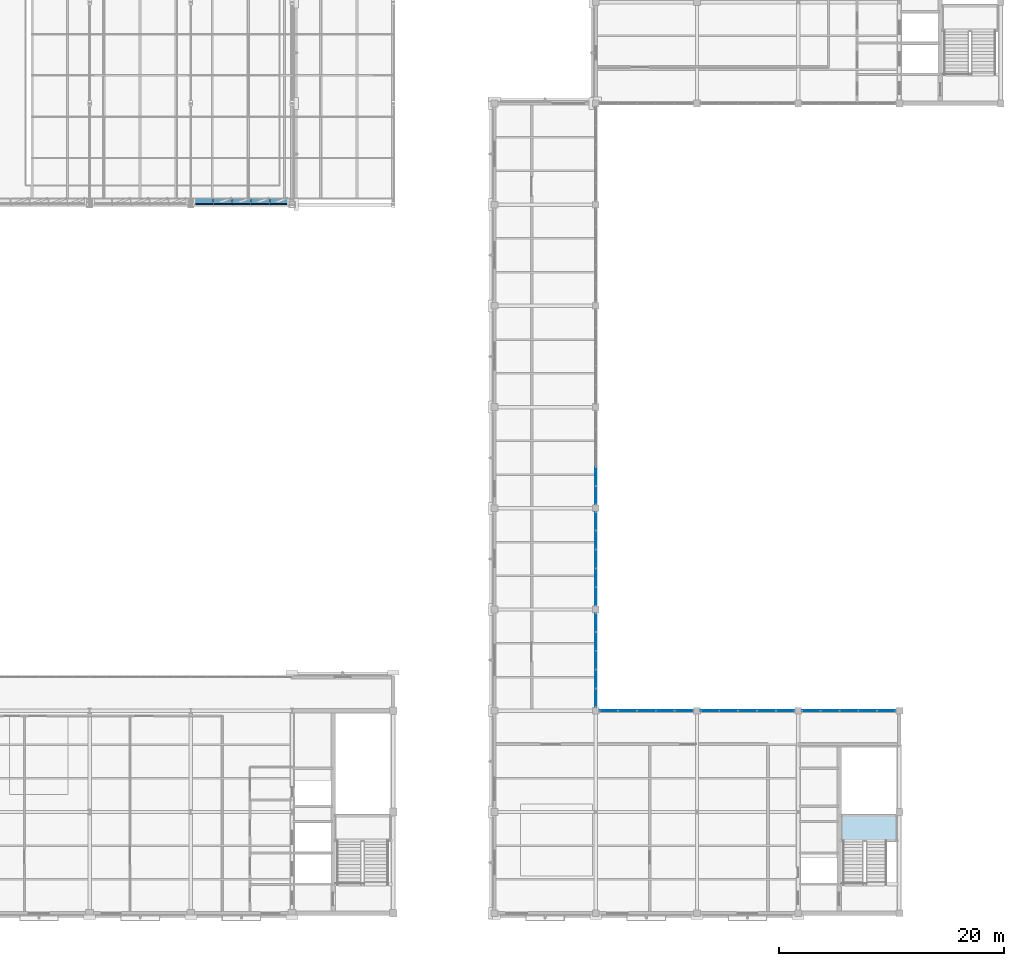
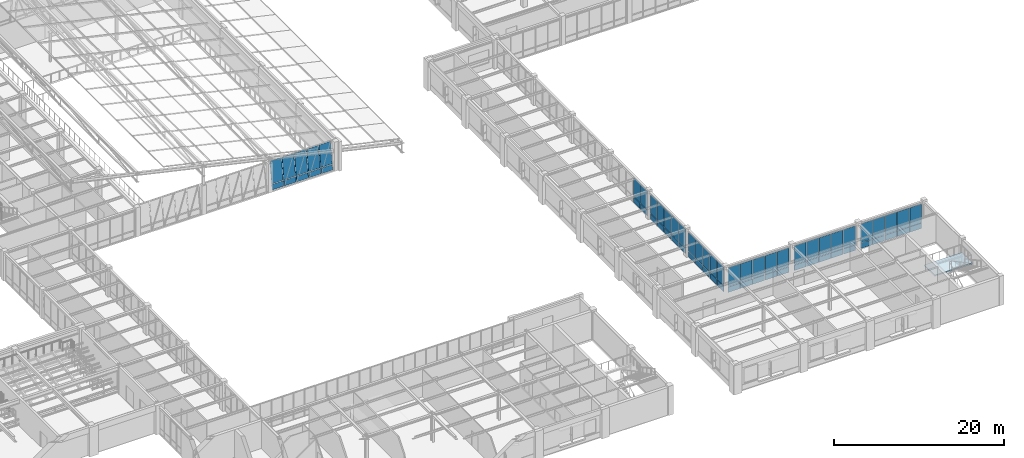
# One storey, part 104 of 130: 64 plates, 1 slab, 8 elements without a shape of their own.
"""IFC4 building model written with IfcOpenShell, lengths in metres."""

from ifc_helpers import new_model, si_unit, direction, frame, origin, origin_2d, place, context, subcontext, project, spatial, polyline, rectangle, outline, extrude, material, layer, layer_set, type_object, element, aggregate, save


model = new_model("IFC4")

# Units and contexts
model_context = context("Model", 3, precision=1e-05, world=origin(), true_north=direction((0.0, 1.0)))
body_context = subcontext(model_context, "Body", "Model", "MODEL_VIEW")
ifc_project = project(units=[si_unit("LENGTHUNIT", "METRE"), si_unit("AREAUNIT", "SQUARE_METRE"), si_unit("VOLUMEUNIT", "CUBIC_METRE"), si_unit("PLANEANGLEUNIT", "RADIAN"), si_unit("MASSUNIT", "GRAM", prefix="KILO")], contexts=[model_context])

# Site, building, storey
site_placement = place(None, origin())
site = spatial("IfcSite", under=ifc_project, at=site_placement, CompositionType="ELEMENT")
building_placement = place(site_placement, origin())
building = spatial("IfcBuilding", under=site, at=building_placement, Name="Lykobir Media Centre", CompositionType="ELEMENT")
storey_placement = place(building_placement, frame((0.0, 0.0, 19.199951171875)))
storey = spatial("IfcBuildingStorey", under=building, at=storey_placement, Name="L04", CompositionType="ELEMENT", Elevation=19.199951171875)

# Curtain wall, plates
ifc_material_1 = material(Name="Anodized Aluminium AW-6060", Category="aluminium")
curtain_wall_type_1 = type_object("IfcCurtainWallType", Name="CW-COURT-B", PredefinedType="NOTDEFINED", material=ifc_material_1)
curtain_wall_1_placement = place(storey_placement, origin())
curtain_wall_1 = element("IfcCurtainWall", 1, at=curtain_wall_1_placement, inside=storey, type_object=curtain_wall_type_1, Name="Curtain wall CW2-L04-0169", PredefinedType="NOTDEFINED")
ifc_material_2 = material(Name="Low-E Laminated Triple Glazing", Category="glass")
ifc_layer_1 = layer(ifc_material_2, 0.0380859375, Name="Low-E Laminated Triple Glazing")
ifc_layer_set_1 = layer_set([ifc_layer_1], Name="Low-E Laminated Triple Glazing")
plate_type_1 = type_object("IfcPlateType", Name="CWP-GLZ-38", PredefinedType="CURTAIN_PANEL", material=ifc_layer_set_1)
plate_1_placement = place(storey_placement, frame((100.15771484375, 18.0, 0.87744140625), z_axis=(0.0, 0.0, 1.0), x_axis=(1.0, 0.0, 0.0)))
plate_1 = element("IfcPlate", 2, at=plate_1_placement, type_object=plate_type_1, Name="CW2-L04-0169 panel 1.2", PredefinedType="CURTAIN_PANEL", context=body_context, shape_type="SweptSolid", body=[
    extrude(rectangle(XDim=1.595458984375, YDim=0.0380859375, at=origin_2d()), origin(), (0.0, 0.0, 1.0), 2.702392578125),
])
plate_2_placement = place(storey_placement, frame((101.822021484375, 18.0, 0.87744140625), z_axis=(0.0, 0.0, 1.0), x_axis=(1.0, 0.0, 0.0)))
plate_2 = element("IfcPlate", 3, at=plate_2_placement, type_object=plate_type_1, Name="CW2-L04-0169 panel 2.2", PredefinedType="CURTAIN_PANEL", context=body_context, shape_type="SweptSolid", body=[
    extrude(rectangle(XDim=1.623046875, YDim=0.0380859375, at=origin_2d()), origin(), (0.0, 0.0, 1.0), 2.702392578125),
])
plate_3_placement = place(storey_placement, frame((103.5, 18.0, 0.87744140625), z_axis=(0.0, 0.0, 1.0), x_axis=(1.0, 0.0, 0.0)))
plate_3 = element("IfcPlate", 4, at=plate_3_placement, type_object=plate_type_1, Name="CW2-L04-0169 panel 3.2", PredefinedType="CURTAIN_PANEL", context=body_context, shape_type="SweptSolid", body=[
    extrude(rectangle(XDim=1.623046875, YDim=0.0380859375, at=origin_2d()), origin(), (0.0, 0.0, 1.0), 2.702392578125),
])
plate_4_placement = place(storey_placement, frame((105.177978515625, 18.0, 0.87744140625), z_axis=(0.0, 0.0, 1.0), x_axis=(1.0, 0.0, 0.0)))
plate_4 = element("IfcPlate", 5, at=plate_4_placement, type_object=plate_type_1, Name="CW2-L04-0169 panel 4.2", PredefinedType="CURTAIN_PANEL", context=body_context, shape_type="SweptSolid", body=[
    extrude(rectangle(XDim=1.623046875, YDim=0.0380859375, at=origin_2d()), origin(), (0.0, 0.0, 1.0), 2.702392578125),
])
plate_5_placement = place(storey_placement, frame((106.84228515625, 18.0, 0.87744140625), z_axis=(0.0, 0.0, 1.0), x_axis=(1.0, 0.0, 0.0)))
plate_5 = element("IfcPlate", 6, at=plate_5_placement, type_object=plate_type_1, Name="CW2-L04-0169 panel 5.2", PredefinedType="CURTAIN_PANEL", context=body_context, shape_type="SweptSolid", body=[
    extrude(rectangle(XDim=1.595458984375, YDim=0.0380859375, at=origin_2d()), origin(), (0.0, 0.0, 1.0), 2.702392578125),
])

curtain_wall_2_placement = place(storey_placement, origin())
curtain_wall_2 = element("IfcCurtainWall", 7, at=curtain_wall_2_placement, inside=storey, type_object=curtain_wall_type_1, Name="Curtain wall CW2-L04-0170", PredefinedType="NOTDEFINED")
plate_6_placement = place(storey_placement, frame((109.15771484375, 18.0, 0.87744140625), z_axis=(0.0, 0.0, 1.0), x_axis=(1.0, 0.0, 0.0)))
plate_6 = element("IfcPlate", 8, at=plate_6_placement, type_object=plate_type_1, Name="CW2-L04-0170 panel 1.2", PredefinedType="CURTAIN_PANEL", context=body_context, shape_type="SweptSolid", body=[
    extrude(rectangle(XDim=1.595458984375, YDim=0.0380859375, at=origin_2d()), origin(), (0.0, 0.0, 1.0), 2.702392578125),
])
plate_7_placement = place(storey_placement, frame((110.822021484375, 18.0, 0.87744140625), z_axis=(0.0, 0.0, 1.0), x_axis=(1.0, 0.0, 0.0)))
plate_7 = element("IfcPlate", 9, at=plate_7_placement, type_object=plate_type_1, Name="CW2-L04-0170 panel 2.2", PredefinedType="CURTAIN_PANEL", context=body_context, shape_type="SweptSolid", body=[
    extrude(rectangle(XDim=1.623046875, YDim=0.0380859375, at=origin_2d()), origin(), (0.0, 0.0, 1.0), 2.702392578125),
])
plate_8_placement = place(storey_placement, frame((112.5, 18.0, 0.87744140625), z_axis=(0.0, 0.0, 1.0), x_axis=(1.0, 0.0, 0.0)))
plate_8 = element("IfcPlate", 10, at=plate_8_placement, type_object=plate_type_1, Name="CW2-L04-0170 panel 3.2", PredefinedType="CURTAIN_PANEL", context=body_context, shape_type="SweptSolid", body=[
    extrude(rectangle(XDim=1.623046875, YDim=0.0380859375, at=origin_2d()), origin(), (0.0, 0.0, 1.0), 2.702392578125),
])
plate_9_placement = place(storey_placement, frame((114.177978515625, 18.0, 0.87744140625), z_axis=(0.0, 0.0, 1.0), x_axis=(1.0, 0.0, 0.0)))
plate_9 = element("IfcPlate", 11, at=plate_9_placement, type_object=plate_type_1, Name="CW2-L04-0170 panel 4.2", PredefinedType="CURTAIN_PANEL", context=body_context, shape_type="SweptSolid", body=[
    extrude(rectangle(XDim=1.623046875, YDim=0.0380859375, at=origin_2d()), origin(), (0.0, 0.0, 1.0), 2.702392578125),
])
plate_10_placement = place(storey_placement, frame((115.84228515625, 18.0, 0.87744140625), z_axis=(0.0, 0.0, 1.0), x_axis=(1.0, 0.0, 0.0)))
plate_10 = element("IfcPlate", 12, at=plate_10_placement, type_object=plate_type_1, Name="CW2-L04-0170 panel 5.2", PredefinedType="CURTAIN_PANEL", context=body_context, shape_type="SweptSolid", body=[
    extrude(rectangle(XDim=1.595458984375, YDim=0.0380859375, at=origin_2d()), origin(), (0.0, 0.0, 1.0), 2.702392578125),
])

curtain_wall_3_placement = place(storey_placement, origin())
curtain_wall_3 = element("IfcCurtainWall", 13, at=curtain_wall_3_placement, inside=storey, type_object=curtain_wall_type_1, Name="Curtain wall CW2-L04-0171", PredefinedType="NOTDEFINED")
plate_11_placement = place(storey_placement, frame((118.15771484375, 18.0, 0.87744140625), z_axis=(0.0, 0.0, 1.0), x_axis=(1.0, 0.0, 0.0)))
plate_11 = element("IfcPlate", 14, at=plate_11_placement, type_object=plate_type_1, Name="CW2-L04-0171 panel 1.2", PredefinedType="CURTAIN_PANEL", context=body_context, shape_type="SweptSolid", body=[
    extrude(rectangle(XDim=1.595458984375, YDim=0.0380859375, at=origin_2d()), origin(), (0.0, 0.0, 1.0), 2.702392578125),
])
plate_12_placement = place(storey_placement, frame((119.822021484375, 18.0, 0.87744140625), z_axis=(0.0, 0.0, 1.0), x_axis=(1.0, 0.0, 0.0)))
plate_12 = element("IfcPlate", 15, at=plate_12_placement, type_object=plate_type_1, Name="CW2-L04-0171 panel 2.2", PredefinedType="CURTAIN_PANEL", context=body_context, shape_type="SweptSolid", body=[
    extrude(rectangle(XDim=1.623046875, YDim=0.0380859375, at=origin_2d()), origin(), (0.0, 0.0, 1.0), 2.702392578125),
])
plate_13_placement = place(storey_placement, frame((121.5, 18.0, 0.87744140625), z_axis=(0.0, 0.0, 1.0), x_axis=(1.0, 0.0, 0.0)))
plate_13 = element("IfcPlate", 16, at=plate_13_placement, type_object=plate_type_1, Name="CW2-L04-0171 panel 3.2", PredefinedType="CURTAIN_PANEL", context=body_context, shape_type="SweptSolid", body=[
    extrude(rectangle(XDim=1.623046875, YDim=0.0380859375, at=origin_2d()), origin(), (0.0, 0.0, 1.0), 2.702392578125),
])
plate_14_placement = place(storey_placement, frame((123.177978515625, 18.0, 0.87744140625), z_axis=(0.0, 0.0, 1.0), x_axis=(1.0, 0.0, 0.0)))
plate_14 = element("IfcPlate", 17, at=plate_14_placement, type_object=plate_type_1, Name="CW2-L04-0171 panel 4.2", PredefinedType="CURTAIN_PANEL", context=body_context, shape_type="SweptSolid", body=[
    extrude(rectangle(XDim=1.623046875, YDim=0.0380859375, at=origin_2d()), origin(), (0.0, 0.0, 1.0), 2.702392578125),
])
plate_15_placement = place(storey_placement, frame((124.84228515625, 18.0, 0.87744140625), z_axis=(0.0, 0.0, 1.0), x_axis=(1.0, 0.0, 0.0)))
plate_15 = element("IfcPlate", 18, at=plate_15_placement, type_object=plate_type_1, Name="CW2-L04-0171 panel 5.2", PredefinedType="CURTAIN_PANEL", context=body_context, shape_type="SweptSolid", body=[
    extrude(rectangle(XDim=1.595458984375, YDim=0.0380859375, at=origin_2d()), origin(), (0.0, 0.0, 1.0), 2.702392578125),
])

curtain_wall_4_placement = place(storey_placement, origin())
curtain_wall_4 = element("IfcCurtainWall", 19, at=curtain_wall_4_placement, inside=storey, type_object=curtain_wall_type_1, Name="Curtain wall CW2-L04-0172", PredefinedType="NOTDEFINED")
plate_16_placement = place(storey_placement, frame((99.0, 25.84228515625, 0.87744140625), z_axis=(0.0, 0.0, 1.0), x_axis=(0.0, -1.0, 0.0)))
plate_16 = element("IfcPlate", 20, at=plate_16_placement, type_object=plate_type_1, Name="CW2-L04-0172 panel 1.2", PredefinedType="CURTAIN_PANEL", context=body_context, shape_type="SweptSolid", body=[
    extrude(rectangle(XDim=1.595458984375, YDim=0.0380859375, at=origin_2d()), origin(), (0.0, 0.0, 1.0), 2.722412109375),
])
plate_17_placement = place(storey_placement, frame((99.0, 24.177978515625, 0.87744140625), z_axis=(0.0, 0.0, 1.0), x_axis=(0.0, -1.0, 0.0)))
plate_17 = element("IfcPlate", 21, at=plate_17_placement, type_object=plate_type_1, Name="CW2-L04-0172 panel 2.2", PredefinedType="CURTAIN_PANEL", context=body_context, shape_type="SweptSolid", body=[
    extrude(rectangle(XDim=1.623046875, YDim=0.0380859375, at=origin_2d()), origin(), (0.0, 0.0, 1.0), 2.722412109375),
])
plate_18_placement = place(storey_placement, frame((99.0, 22.5, 0.87744140625), z_axis=(0.0, 0.0, 1.0), x_axis=(0.0, -1.0, 0.0)))
plate_18 = element("IfcPlate", 22, at=plate_18_placement, type_object=plate_type_1, Name="CW2-L04-0172 panel 3.2", PredefinedType="CURTAIN_PANEL", context=body_context, shape_type="SweptSolid", body=[
    extrude(rectangle(XDim=1.623046875, YDim=0.0380859375, at=origin_2d()), origin(), (0.0, 0.0, 1.0), 2.722412109375),
])
plate_19_placement = place(storey_placement, frame((99.0, 20.822021484375, 0.87744140625), z_axis=(0.0, 0.0, 1.0), x_axis=(0.0, -1.0, 0.0)))
plate_19 = element("IfcPlate", 23, at=plate_19_placement, type_object=plate_type_1, Name="CW2-L04-0172 panel 4.2", PredefinedType="CURTAIN_PANEL", context=body_context, shape_type="SweptSolid", body=[
    extrude(rectangle(XDim=1.623046875, YDim=0.0380859375, at=origin_2d()), origin(), (0.0, 0.0, 1.0), 2.722412109375),
])
plate_20_placement = place(storey_placement, frame((99.0, 19.15771484375, 0.87744140625), z_axis=(0.0, 0.0, 1.0), x_axis=(0.0, -1.0, 0.0)))
plate_20 = element("IfcPlate", 24, at=plate_20_placement, type_object=plate_type_1, Name="CW2-L04-0172 panel 5.2", PredefinedType="CURTAIN_PANEL", context=body_context, shape_type="SweptSolid", body=[
    extrude(rectangle(XDim=1.595458984375, YDim=0.0380859375, at=origin_2d()), origin(), (0.0, 0.0, 1.0), 2.722412109375),
])

curtain_wall_5_placement = place(storey_placement, origin())
curtain_wall_5 = element("IfcCurtainWall", 25, at=curtain_wall_5_placement, inside=storey, type_object=curtain_wall_type_1, Name="Curtain wall CW2-L04-0173", PredefinedType="NOTDEFINED")
plate_21_placement = place(storey_placement, frame((99.0, 34.84228515625, 0.87744140625), z_axis=(0.0, 0.0, 1.0), x_axis=(0.0, -1.0, 0.0)))
plate_21 = element("IfcPlate", 26, at=plate_21_placement, type_object=plate_type_1, Name="CW2-L04-0173 panel 1.2", PredefinedType="CURTAIN_PANEL", context=body_context, shape_type="SweptSolid", body=[
    extrude(rectangle(XDim=1.595458984375, YDim=0.0380859375, at=origin_2d()), origin(), (0.0, 0.0, 1.0), 2.722412109375),
])
plate_22_placement = place(storey_placement, frame((99.0, 33.177978515625, 0.87744140625), z_axis=(0.0, 0.0, 1.0), x_axis=(0.0, -1.0, 0.0)))
plate_22 = element("IfcPlate", 27, at=plate_22_placement, type_object=plate_type_1, Name="CW2-L04-0173 panel 2.2", PredefinedType="CURTAIN_PANEL", context=body_context, shape_type="SweptSolid", body=[
    extrude(rectangle(XDim=1.623046875, YDim=0.0380859375, at=origin_2d()), origin(), (0.0, 0.0, 1.0), 2.722412109375),
])
plate_23_placement = place(storey_placement, frame((99.0, 31.5, 0.87744140625), z_axis=(0.0, 0.0, 1.0), x_axis=(0.0, -1.0, 0.0)))
plate_23 = element("IfcPlate", 28, at=plate_23_placement, type_object=plate_type_1, Name="CW2-L04-0173 panel 3.2", PredefinedType="CURTAIN_PANEL", context=body_context, shape_type="SweptSolid", body=[
    extrude(rectangle(XDim=1.623046875, YDim=0.0380859375, at=origin_2d()), origin(), (0.0, 0.0, 1.0), 2.722412109375),
])
plate_24_placement = place(storey_placement, frame((99.0, 29.822021484375, 0.87744140625), z_axis=(0.0, 0.0, 1.0), x_axis=(0.0, -1.0, 0.0)))
plate_24 = element("IfcPlate", 29, at=plate_24_placement, type_object=plate_type_1, Name="CW2-L04-0173 panel 4.2", PredefinedType="CURTAIN_PANEL", context=body_context, shape_type="SweptSolid", body=[
    extrude(rectangle(XDim=1.623046875, YDim=0.0380859375, at=origin_2d()), origin(), (0.0, 0.0, 1.0), 2.722412109375),
])
plate_25_placement = place(storey_placement, frame((99.0, 28.15771484375, 0.87744140625), z_axis=(0.0, 0.0, 1.0), x_axis=(0.0, -1.0, 0.0)))
plate_25 = element("IfcPlate", 30, at=plate_25_placement, type_object=plate_type_1, Name="CW2-L04-0173 panel 5.2", PredefinedType="CURTAIN_PANEL", context=body_context, shape_type="SweptSolid", body=[
    extrude(rectangle(XDim=1.595458984375, YDim=0.0380859375, at=origin_2d()), origin(), (0.0, 0.0, 1.0), 2.722412109375),
])

curtain_wall_6_placement = place(storey_placement, origin())
curtain_wall_6 = element("IfcCurtainWall", 31, at=curtain_wall_6_placement, inside=storey, type_object=curtain_wall_type_1, Name="Curtain wall CW2-L04-0174", PredefinedType="NOTDEFINED")
plate_26_placement = place(storey_placement, frame((99.0, 38.822021484375, 0.87744140625), z_axis=(0.0, 0.0, 1.0), x_axis=(0.0, -1.0, 0.0)))
plate_26 = element("IfcPlate", 32, at=plate_26_placement, type_object=plate_type_1, Name="CW2-L04-0174 panel 4.2", PredefinedType="CURTAIN_PANEL", context=body_context, shape_type="SweptSolid", body=[
    extrude(rectangle(XDim=1.623046875, YDim=0.0380859375, at=origin_2d()), origin(), (0.0, 0.0, 1.0), 2.722412109375),
])
plate_27_placement = place(storey_placement, frame((99.0, 37.15771484375, 0.87744140625), z_axis=(0.0, 0.0, 1.0), x_axis=(0.0, -1.0, 0.0)))
plate_27 = element("IfcPlate", 33, at=plate_27_placement, type_object=plate_type_1, Name="CW2-L04-0174 panel 5.2", PredefinedType="CURTAIN_PANEL", context=body_context, shape_type="SweptSolid", body=[
    extrude(rectangle(XDim=1.595458984375, YDim=0.0380859375, at=origin_2d()), origin(), (0.0, 0.0, 1.0), 2.722412109375),
])

curtain_wall_type_2 = type_object("IfcCurtainWallType", Name="CW-V6-CR4", PredefinedType="NOTDEFINED", material=ifc_material_1)
curtain_wall_7_placement = place(storey_placement, origin())
curtain_wall_7 = element("IfcCurtainWall", 34, at=curtain_wall_7_placement, inside=storey, type_object=curtain_wall_type_2, Name="Curtain wall CW2-L04-0162", PredefinedType="NOTDEFINED")
ifc_layer_2 = layer(ifc_material_2, 0.0439453125, Name="Low-E Laminated Triple Glazing")
ifc_layer_set_2 = layer_set([ifc_layer_2], Name="Low-E Laminated Triple Glazing")
plate_type_2 = type_object("IfcPlateType", Name="CWP-GLZ-44", PredefinedType="CURTAIN_PANEL", material=ifc_layer_set_2)
plate_28_placement = place(storey_placement, frame((70.837158203125, 63.126708984375, 0.87841796875), z_axis=(0.0, 0.142628933706, 0.989776230908), x_axis=(-1.0, 0.0, 0.0)))
plate_28 = element("IfcPlate", 35, at=plate_28_placement, type_object=plate_type_2, Name="CW2-L04-0162 panel 1.2", PredefinedType="CURTAIN_PANEL", context=body_context, shape_type="SweptSolid", body=[
    extrude(rectangle(XDim=1.5654296875, YDim=0.0439453125, at=origin_2d()), origin(), (0.0, 0.0, 1.0), 3.018310546875),
])
plate_29_placement = place(storey_placement, frame((69.177978515625, 63.126708984375, 0.87841796875), z_axis=(0.0, 0.142628933706, 0.989776230908), x_axis=(-1.0, 0.0, 0.0)))
plate_29 = element("IfcPlate", 36, at=plate_29_placement, type_object=plate_type_2, Name="CW2-L04-0162 panel 2.2", PredefinedType="CURTAIN_PANEL", context=body_context, shape_type="SweptSolid", body=[
    extrude(rectangle(XDim=1.60302734375, YDim=0.0439453125, at=origin_2d()), origin(), (0.0, 0.0, 1.0), 3.018310546875),
])
plate_30_placement = place(storey_placement, frame((67.5, 63.126708984375, 0.87841796875), z_axis=(0.0, 0.142628933706, 0.989776230908), x_axis=(-1.0, 0.0, 0.0)))
plate_30 = element("IfcPlate", 37, at=plate_30_placement, type_object=plate_type_2, Name="CW2-L04-0162 panel 3.2", PredefinedType="CURTAIN_PANEL", context=body_context, shape_type="SweptSolid", body=[
    extrude(rectangle(XDim=1.60302734375, YDim=0.0439453125, at=origin_2d()), origin(), (0.0, 0.0, 1.0), 3.018310546875),
])
plate_31_placement = place(storey_placement, frame((65.822021484375, 63.126708984375, 0.87841796875), z_axis=(0.0, 0.142628933706, 0.989776230908), x_axis=(-1.0, 0.0, 0.0)))
plate_31 = element("IfcPlate", 38, at=plate_31_placement, type_object=plate_type_2, Name="CW2-L04-0162 panel 4.2", PredefinedType="CURTAIN_PANEL", context=body_context, shape_type="SweptSolid", body=[
    extrude(rectangle(XDim=1.60302734375, YDim=0.0439453125, at=origin_2d()), origin(), (0.0, 0.0, 1.0), 3.018310546875),
])
plate_32_placement = place(storey_placement, frame((64.162841796875, 63.126708984375, 0.87841796875), z_axis=(0.0, 0.142628933706, 0.989776230908), x_axis=(-1.0, 0.0, 0.0)))
plate_32 = element("IfcPlate", 39, at=plate_32_placement, type_object=plate_type_2, Name="CW2-L04-0162 panel 5.2", PredefinedType="CURTAIN_PANEL", context=body_context, shape_type="SweptSolid", body=[
    extrude(rectangle(XDim=1.5654296875, YDim=0.0439453125, at=origin_2d()), origin(), (0.0, 0.0, 1.0), 3.018310546875),
])
ifc_material_3 = material(Name="Pre-Weathered Titanium-Zinc", Category="metal")
ifc_layer_3 = layer(ifc_material_3, 0.052001953125, Name="Pre-Weathered Titanium-Zinc")
ifc_layer_set_3 = layer_set([ifc_layer_3], Name="Pre-Weathered Titanium-Zinc")
plate_type_3 = type_object("IfcPlateType", Name="CWP-SPN-52", PredefinedType="CURTAIN_PANEL", material=ifc_layer_set_3)
plate_33_placement = place(storey_placement, frame((70.837158203125, 63.0107421875, 0.07421875), z_axis=(0.0, 0.142628933706, 0.989776230908), x_axis=(-1.0, 0.0, 0.0)))
plate_33 = element("IfcPlate", 40, at=plate_33_placement, type_object=plate_type_3, Name="CW2-L04-0162 panel 1.1", PredefinedType="CURTAIN_PANEL", context=body_context, shape_type="SweptSolid", body=[
    extrude(rectangle(XDim=1.5654296875, YDim=0.052001953125, at=origin_2d()), origin(), (0.0, 0.0, 1.0), 0.737548828125),
])
plate_34_placement = place(storey_placement, frame((69.177978515625, 63.0107421875, 0.07421875), z_axis=(0.0, 0.142628933706, 0.989776230908), x_axis=(-1.0, 0.0, 0.0)))
plate_34 = element("IfcPlate", 41, at=plate_34_placement, type_object=plate_type_3, Name="CW2-L04-0162 panel 2.1", PredefinedType="CURTAIN_PANEL", context=body_context, shape_type="SweptSolid", body=[
    extrude(rectangle(XDim=1.60302734375, YDim=0.052001953125, at=origin_2d()), origin(), (0.0, 0.0, 1.0), 0.737548828125),
])
plate_35_placement = place(storey_placement, frame((67.5, 63.0107421875, 0.07421875), z_axis=(0.0, 0.142628933706, 0.989776230908), x_axis=(-1.0, 0.0, 0.0)))
plate_35 = element("IfcPlate", 42, at=plate_35_placement, type_object=plate_type_3, Name="CW2-L04-0162 panel 3.1", PredefinedType="CURTAIN_PANEL", context=body_context, shape_type="SweptSolid", body=[
    extrude(rectangle(XDim=1.60302734375, YDim=0.052001953125, at=origin_2d()), origin(), (0.0, 0.0, 1.0), 0.737548828125),
])
plate_36_placement = place(storey_placement, frame((65.822021484375, 63.0107421875, 0.07421875), z_axis=(0.0, 0.142628933706, 0.989776230908), x_axis=(-1.0, 0.0, 0.0)))
plate_36 = element("IfcPlate", 43, at=plate_36_placement, type_object=plate_type_3, Name="CW2-L04-0162 panel 4.1", PredefinedType="CURTAIN_PANEL", context=body_context, shape_type="SweptSolid", body=[
    extrude(rectangle(XDim=1.60302734375, YDim=0.052001953125, at=origin_2d()), origin(), (0.0, 0.0, 1.0), 0.737548828125),
])
plate_37_placement = place(storey_placement, frame((64.162841796875, 63.0107421875, 0.07421875), z_axis=(0.0, 0.142628933706, 0.989776230908), x_axis=(-1.0, 0.0, 0.0)))
plate_37 = element("IfcPlate", 44, at=plate_37_placement, type_object=plate_type_3, Name="CW2-L04-0162 panel 5.1", PredefinedType="CURTAIN_PANEL", context=body_context, shape_type="SweptSolid", body=[
    extrude(rectangle(XDim=1.5654296875, YDim=0.052001953125, at=origin_2d()), origin(), (0.0, 0.0, 1.0), 0.737548828125),
])
aggregate(curtain_wall_7, [plate_33, plate_28, plate_34, plate_29, plate_35, plate_30, plate_36, plate_31, plate_37, plate_32])

# Plate
plate_38_placement = place(storey_placement, frame((100.15771484375, 18.0, 0.054931640625), z_axis=(0.0, 0.0, 1.0), x_axis=(1.0, 0.0, 0.0)))
plate_38 = element("IfcPlate", 45, at=plate_38_placement, type_object=plate_type_3, Name="CW2-L04-0169 panel 1.1", PredefinedType="CURTAIN_PANEL", context=body_context, shape_type="SweptSolid", body=[
    extrude(rectangle(XDim=1.595458984375, YDim=0.052001953125, at=origin_2d()), origin(), (0.0, 0.0, 1.0), 0.767578125),
])

plate_39_placement = place(storey_placement, frame((101.822021484375, 18.0, 0.054931640625), z_axis=(0.0, 0.0, 1.0), x_axis=(1.0, 0.0, 0.0)))
plate_39 = element("IfcPlate", 46, at=plate_39_placement, type_object=plate_type_3, Name="CW2-L04-0169 panel 2.1", PredefinedType="CURTAIN_PANEL", context=body_context, shape_type="SweptSolid", body=[
    extrude(rectangle(XDim=1.623046875, YDim=0.052001953125, at=origin_2d()), origin(), (0.0, 0.0, 1.0), 0.767578125),
])

plate_40_placement = place(storey_placement, frame((103.5, 18.0, 0.054931640625), z_axis=(0.0, 0.0, 1.0), x_axis=(1.0, 0.0, 0.0)))
plate_40 = element("IfcPlate", 47, at=plate_40_placement, type_object=plate_type_3, Name="CW2-L04-0169 panel 3.1", PredefinedType="CURTAIN_PANEL", context=body_context, shape_type="SweptSolid", body=[
    extrude(rectangle(XDim=1.623046875, YDim=0.052001953125, at=origin_2d()), origin(), (0.0, 0.0, 1.0), 0.767578125),
])

plate_41_placement = place(storey_placement, frame((105.177978515625, 18.0, 0.054931640625), z_axis=(0.0, 0.0, 1.0), x_axis=(1.0, 0.0, 0.0)))
plate_41 = element("IfcPlate", 48, at=plate_41_placement, type_object=plate_type_3, Name="CW2-L04-0169 panel 4.1", PredefinedType="CURTAIN_PANEL", context=body_context, shape_type="SweptSolid", body=[
    extrude(rectangle(XDim=1.623046875, YDim=0.052001953125, at=origin_2d()), origin(), (0.0, 0.0, 1.0), 0.767578125),
])

plate_42_placement = place(storey_placement, frame((106.84228515625, 18.0, 0.054931640625), z_axis=(0.0, 0.0, 1.0), x_axis=(1.0, 0.0, 0.0)))
plate_42 = element("IfcPlate", 49, at=plate_42_placement, type_object=plate_type_3, Name="CW2-L04-0169 panel 5.1", PredefinedType="CURTAIN_PANEL", context=body_context, shape_type="SweptSolid", body=[
    extrude(rectangle(XDim=1.595458984375, YDim=0.052001953125, at=origin_2d()), origin(), (0.0, 0.0, 1.0), 0.767578125),
])

aggregate(curtain_wall_1, [plate_38, plate_1, plate_39, plate_2, plate_40, plate_3, plate_41, plate_4, plate_42, plate_5])

plate_43_placement = place(storey_placement, frame((109.15771484375, 18.0, 0.054931640625), z_axis=(0.0, 0.0, 1.0), x_axis=(1.0, 0.0, 0.0)))
plate_43 = element("IfcPlate", 50, at=plate_43_placement, type_object=plate_type_3, Name="CW2-L04-0170 panel 1.1", PredefinedType="CURTAIN_PANEL", context=body_context, shape_type="SweptSolid", body=[
    extrude(rectangle(XDim=1.595458984375, YDim=0.052001953125, at=origin_2d()), origin(), (0.0, 0.0, 1.0), 0.767578125),
])

plate_44_placement = place(storey_placement, frame((110.822021484375, 18.0, 0.054931640625), z_axis=(0.0, 0.0, 1.0), x_axis=(1.0, 0.0, 0.0)))
plate_44 = element("IfcPlate", 51, at=plate_44_placement, type_object=plate_type_3, Name="CW2-L04-0170 panel 2.1", PredefinedType="CURTAIN_PANEL", context=body_context, shape_type="SweptSolid", body=[
    extrude(rectangle(XDim=1.623046875, YDim=0.052001953125, at=origin_2d()), origin(), (0.0, 0.0, 1.0), 0.767578125),
])

plate_45_placement = place(storey_placement, frame((112.5, 18.0, 0.054931640625), z_axis=(0.0, 0.0, 1.0), x_axis=(1.0, 0.0, 0.0)))
plate_45 = element("IfcPlate", 52, at=plate_45_placement, type_object=plate_type_3, Name="CW2-L04-0170 panel 3.1", PredefinedType="CURTAIN_PANEL", context=body_context, shape_type="SweptSolid", body=[
    extrude(rectangle(XDim=1.623046875, YDim=0.052001953125, at=origin_2d()), origin(), (0.0, 0.0, 1.0), 0.767578125),
])

plate_46_placement = place(storey_placement, frame((114.177978515625, 18.0, 0.054931640625), z_axis=(0.0, 0.0, 1.0), x_axis=(1.0, 0.0, 0.0)))
plate_46 = element("IfcPlate", 53, at=plate_46_placement, type_object=plate_type_3, Name="CW2-L04-0170 panel 4.1", PredefinedType="CURTAIN_PANEL", context=body_context, shape_type="SweptSolid", body=[
    extrude(rectangle(XDim=1.623046875, YDim=0.052001953125, at=origin_2d()), origin(), (0.0, 0.0, 1.0), 0.767578125),
])

plate_47_placement = place(storey_placement, frame((115.84228515625, 18.0, 0.054931640625), z_axis=(0.0, 0.0, 1.0), x_axis=(1.0, 0.0, 0.0)))
plate_47 = element("IfcPlate", 54, at=plate_47_placement, type_object=plate_type_3, Name="CW2-L04-0170 panel 5.1", PredefinedType="CURTAIN_PANEL", context=body_context, shape_type="SweptSolid", body=[
    extrude(rectangle(XDim=1.595458984375, YDim=0.052001953125, at=origin_2d()), origin(), (0.0, 0.0, 1.0), 0.767578125),
])

aggregate(curtain_wall_2, [plate_43, plate_6, plate_44, plate_7, plate_45, plate_8, plate_46, plate_9, plate_47, plate_10])

plate_48_placement = place(storey_placement, frame((118.15771484375, 18.0, 0.054931640625), z_axis=(0.0, 0.0, 1.0), x_axis=(1.0, 0.0, 0.0)))
plate_48 = element("IfcPlate", 55, at=plate_48_placement, type_object=plate_type_3, Name="CW2-L04-0171 panel 1.1", PredefinedType="CURTAIN_PANEL", context=body_context, shape_type="SweptSolid", body=[
    extrude(rectangle(XDim=1.595458984375, YDim=0.052001953125, at=origin_2d()), origin(), (0.0, 0.0, 1.0), 0.767578125),
])

plate_49_placement = place(storey_placement, frame((119.822021484375, 18.0, 0.054931640625), z_axis=(0.0, 0.0, 1.0), x_axis=(1.0, 0.0, 0.0)))
plate_49 = element("IfcPlate", 56, at=plate_49_placement, type_object=plate_type_3, Name="CW2-L04-0171 panel 2.1", PredefinedType="CURTAIN_PANEL", context=body_context, shape_type="SweptSolid", body=[
    extrude(rectangle(XDim=1.623046875, YDim=0.052001953125, at=origin_2d()), origin(), (0.0, 0.0, 1.0), 0.767578125),
])

plate_50_placement = place(storey_placement, frame((121.5, 18.0, 0.054931640625), z_axis=(0.0, 0.0, 1.0), x_axis=(1.0, 0.0, 0.0)))
plate_50 = element("IfcPlate", 57, at=plate_50_placement, type_object=plate_type_3, Name="CW2-L04-0171 panel 3.1", PredefinedType="CURTAIN_PANEL", context=body_context, shape_type="SweptSolid", body=[
    extrude(rectangle(XDim=1.623046875, YDim=0.052001953125, at=origin_2d()), origin(), (0.0, 0.0, 1.0), 0.767578125),
])

plate_51_placement = place(storey_placement, frame((123.177978515625, 18.0, 0.054931640625), z_axis=(0.0, 0.0, 1.0), x_axis=(1.0, 0.0, 0.0)))
plate_51 = element("IfcPlate", 58, at=plate_51_placement, type_object=plate_type_3, Name="CW2-L04-0171 panel 4.1", PredefinedType="CURTAIN_PANEL", context=body_context, shape_type="SweptSolid", body=[
    extrude(rectangle(XDim=1.623046875, YDim=0.052001953125, at=origin_2d()), origin(), (0.0, 0.0, 1.0), 0.767578125),
])

plate_52_placement = place(storey_placement, frame((124.84228515625, 18.0, 0.054931640625), z_axis=(0.0, 0.0, 1.0), x_axis=(1.0, 0.0, 0.0)))
plate_52 = element("IfcPlate", 59, at=plate_52_placement, type_object=plate_type_3, Name="CW2-L04-0171 panel 5.1", PredefinedType="CURTAIN_PANEL", context=body_context, shape_type="SweptSolid", body=[
    extrude(rectangle(XDim=1.595458984375, YDim=0.052001953125, at=origin_2d()), origin(), (0.0, 0.0, 1.0), 0.767578125),
])

aggregate(curtain_wall_3, [plate_48, plate_11, plate_49, plate_12, plate_50, plate_13, plate_51, plate_14, plate_52, plate_15])

plate_53_placement = place(storey_placement, frame((99.0, 25.84228515625, 0.054931640625), z_axis=(0.0, 0.0, 1.0), x_axis=(0.0, -1.0, 0.0)))
plate_53 = element("IfcPlate", 60, at=plate_53_placement, type_object=plate_type_3, Name="CW2-L04-0172 panel 1.1", PredefinedType="CURTAIN_PANEL", context=body_context, shape_type="SweptSolid", body=[
    extrude(rectangle(XDim=1.595458984375, YDim=0.052001953125, at=origin_2d()), origin(), (0.0, 0.0, 1.0), 0.767578125),
])

plate_54_placement = place(storey_placement, frame((99.0, 24.177978515625, 0.054931640625), z_axis=(0.0, 0.0, 1.0), x_axis=(0.0, -1.0, 0.0)))
plate_54 = element("IfcPlate", 61, at=plate_54_placement, type_object=plate_type_3, Name="CW2-L04-0172 panel 2.1", PredefinedType="CURTAIN_PANEL", context=body_context, shape_type="SweptSolid", body=[
    extrude(rectangle(XDim=1.623046875, YDim=0.052001953125, at=origin_2d()), origin(), (0.0, 0.0, 1.0), 0.767578125),
])

plate_55_placement = place(storey_placement, frame((99.0, 22.5, 0.054931640625), z_axis=(0.0, 0.0, 1.0), x_axis=(0.0, -1.0, 0.0)))
plate_55 = element("IfcPlate", 62, at=plate_55_placement, type_object=plate_type_3, Name="CW2-L04-0172 panel 3.1", PredefinedType="CURTAIN_PANEL", context=body_context, shape_type="SweptSolid", body=[
    extrude(rectangle(XDim=1.623046875, YDim=0.052001953125, at=origin_2d()), origin(), (0.0, 0.0, 1.0), 0.767578125),
])

plate_56_placement = place(storey_placement, frame((99.0, 20.822021484375, 0.054931640625), z_axis=(0.0, 0.0, 1.0), x_axis=(0.0, -1.0, 0.0)))
plate_56 = element("IfcPlate", 63, at=plate_56_placement, type_object=plate_type_3, Name="CW2-L04-0172 panel 4.1", PredefinedType="CURTAIN_PANEL", context=body_context, shape_type="SweptSolid", body=[
    extrude(rectangle(XDim=1.623046875, YDim=0.052001953125, at=origin_2d()), origin(), (0.0, 0.0, 1.0), 0.767578125),
])

plate_57_placement = place(storey_placement, frame((99.0, 19.15771484375, 0.054931640625), z_axis=(0.0, 0.0, 1.0), x_axis=(0.0, -1.0, 0.0)))
plate_57 = element("IfcPlate", 64, at=plate_57_placement, type_object=plate_type_3, Name="CW2-L04-0172 panel 5.1", PredefinedType="CURTAIN_PANEL", context=body_context, shape_type="SweptSolid", body=[
    extrude(rectangle(XDim=1.595458984375, YDim=0.052001953125, at=origin_2d()), origin(), (0.0, 0.0, 1.0), 0.767578125),
])

aggregate(curtain_wall_4, [plate_53, plate_16, plate_54, plate_17, plate_55, plate_18, plate_56, plate_19, plate_57, plate_20])

plate_58_placement = place(storey_placement, frame((99.0, 34.84228515625, 0.054931640625), z_axis=(0.0, 0.0, 1.0), x_axis=(0.0, -1.0, 0.0)))
plate_58 = element("IfcPlate", 65, at=plate_58_placement, type_object=plate_type_3, Name="CW2-L04-0173 panel 1.1", PredefinedType="CURTAIN_PANEL", context=body_context, shape_type="SweptSolid", body=[
    extrude(rectangle(XDim=1.595458984375, YDim=0.052001953125, at=origin_2d()), origin(), (0.0, 0.0, 1.0), 0.767578125),
])

plate_59_placement = place(storey_placement, frame((99.0, 33.177978515625, 0.054931640625), z_axis=(0.0, 0.0, 1.0), x_axis=(0.0, -1.0, 0.0)))
plate_59 = element("IfcPlate", 66, at=plate_59_placement, type_object=plate_type_3, Name="CW2-L04-0173 panel 2.1", PredefinedType="CURTAIN_PANEL", context=body_context, shape_type="SweptSolid", body=[
    extrude(rectangle(XDim=1.623046875, YDim=0.052001953125, at=origin_2d()), origin(), (0.0, 0.0, 1.0), 0.767578125),
])

plate_60_placement = place(storey_placement, frame((99.0, 31.5, 0.054931640625), z_axis=(0.0, 0.0, 1.0), x_axis=(0.0, -1.0, 0.0)))
plate_60 = element("IfcPlate", 67, at=plate_60_placement, type_object=plate_type_3, Name="CW2-L04-0173 panel 3.1", PredefinedType="CURTAIN_PANEL", context=body_context, shape_type="SweptSolid", body=[
    extrude(rectangle(XDim=1.623046875, YDim=0.052001953125, at=origin_2d()), origin(), (0.0, 0.0, 1.0), 0.767578125),
])

plate_61_placement = place(storey_placement, frame((99.0, 29.822021484375, 0.054931640625), z_axis=(0.0, 0.0, 1.0), x_axis=(0.0, -1.0, 0.0)))
plate_61 = element("IfcPlate", 68, at=plate_61_placement, type_object=plate_type_3, Name="CW2-L04-0173 panel 4.1", PredefinedType="CURTAIN_PANEL", context=body_context, shape_type="SweptSolid", body=[
    extrude(rectangle(XDim=1.623046875, YDim=0.052001953125, at=origin_2d()), origin(), (0.0, 0.0, 1.0), 0.767578125),
])

plate_62_placement = place(storey_placement, frame((99.0, 28.15771484375, 0.054931640625), z_axis=(0.0, 0.0, 1.0), x_axis=(0.0, -1.0, 0.0)))
plate_62 = element("IfcPlate", 69, at=plate_62_placement, type_object=plate_type_3, Name="CW2-L04-0173 panel 5.1", PredefinedType="CURTAIN_PANEL", context=body_context, shape_type="SweptSolid", body=[
    extrude(rectangle(XDim=1.595458984375, YDim=0.052001953125, at=origin_2d()), origin(), (0.0, 0.0, 1.0), 0.767578125),
])

aggregate(curtain_wall_5, [plate_58, plate_21, plate_59, plate_22, plate_60, plate_23, plate_61, plate_24, plate_62, plate_25])

plate_63_placement = place(storey_placement, frame((99.0, 38.822021484375, 0.054931640625), z_axis=(0.0, 0.0, 1.0), x_axis=(0.0, -1.0, 0.0)))
plate_63 = element("IfcPlate", 70, at=plate_63_placement, type_object=plate_type_3, Name="CW2-L04-0174 panel 4.1", PredefinedType="CURTAIN_PANEL", context=body_context, shape_type="SweptSolid", body=[
    extrude(rectangle(XDim=1.623046875, YDim=0.052001953125, at=origin_2d()), origin(), (0.0, 0.0, 1.0), 0.767578125),
])

plate_64_placement = place(storey_placement, frame((99.0, 37.15771484375, 0.054931640625), z_axis=(0.0, 0.0, 1.0), x_axis=(0.0, -1.0, 0.0)))
plate_64 = element("IfcPlate", 71, at=plate_64_placement, type_object=plate_type_3, Name="CW2-L04-0174 panel 5.1", PredefinedType="CURTAIN_PANEL", context=body_context, shape_type="SweptSolid", body=[
    extrude(rectangle(XDim=1.595458984375, YDim=0.052001953125, at=origin_2d()), origin(), (0.0, 0.0, 1.0), 0.767578125),
])

aggregate(curtain_wall_6, [plate_63, plate_26, plate_64, plate_27])

# Stair, slab
ifc_material_4 = material(Name="Concrete C30/37", Category="concrete")
stair_type = type_object("IfcStairType", Name="ST-AUX-420", PredefinedType="HALF_TURN_STAIR", material=ifc_material_4)
stair_placement = place(storey_placement, origin())
stair = element("IfcStair", 72, at=stair_placement, inside=storey, type_object=stair_type, Name="Escape stair ST-5 L04", PredefinedType="HALF_TURN_STAIR")
ifc_layer_4 = layer(ifc_material_4, 0.18505859375, Name="Concrete C30/37")
ifc_layer_set_4 = layer_set([ifc_layer_4], Name="Concrete C30/37")
slab_type = type_object("IfcSlabType", Name="SL-185", PredefinedType="LANDING", material=ifc_layer_set_4)
slab_placement = place(storey_placement, frame((0.0, 0.0, 1.9150390625)))
slab = element("IfcSlab", 73, at=slab_placement, type_object=slab_type, Name="ST-5-L04 landing 1", PredefinedType="LANDING", context=body_context, shape_type="SweptSolid", body=[
    extrude(outline(polyline([(120.72998046875, 6.35009765625), (125.8701171875, 6.35009765625), (125.8701171875, 8.830078125), (120.72998046875, 8.830078125), (120.72998046875, 6.35009765625)])), origin(), (0.0, 0.0, 1.0), 0.18505859375),
])
aggregate(stair, [slab])

save(model, "model.ifc")
